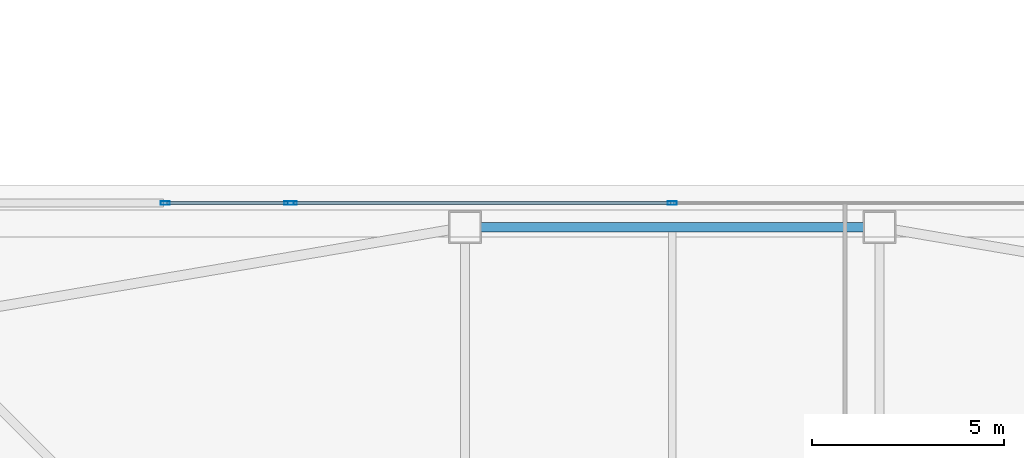
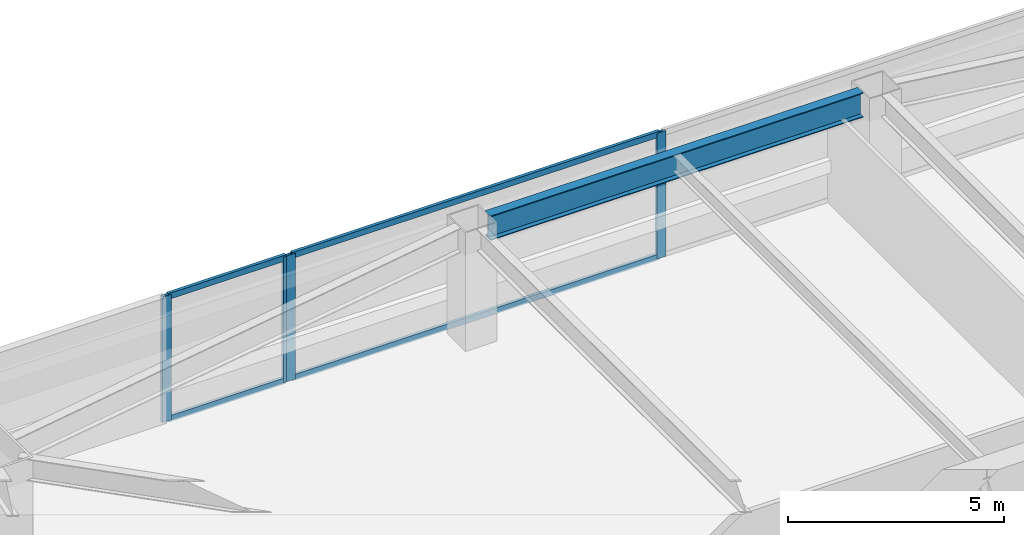
# One storey, part 15 of 46: 8 members, 1 beam, 2 elements without a shape of their own.
"""IFC4 building model written with IfcOpenShell, lengths in metres."""

import ifcopenshell
import ifcopenshell.guid

model = None  # the IFC model being written
_history = None  # IfcOwnerHistory: only IFC2X3 demands one
_inside = {}  # id of a spatial element -> (the spatial element, [elements in it])
_under = {}  # id of a project, library or spatial element -> (it, [spatial elements below it])
_declared = {}  # id of a project -> (the project, [libraries it declares])
_typed = {}  # id of a type object -> (the type object, [elements of that type])
_made_of = {}  # id of a material, layer set ... -> (it, [elements and type objects made of it])


def new_model(schema):
    """Start an empty IFC model of exactly this schema.

    Asked for "IFC4X3", IfcOpenShell would pick the latest addendum, in which some entities
    have other attributes; the version numbers below select the first issue.
    IFC2X3 requires an IfcOwnerHistory on every rooted entity: one is made here for all.
    """
    global model, _history
    if schema == "IFC4X3":
        model = ifcopenshell.file(schema_version=(4, 3, 0, 0))
    else:
        model = ifcopenshell.file(schema=schema)
    _inside.clear()
    _under.clear()
    _declared.clear()
    _typed.clear()
    _made_of.clear()
    _history = None
    if model.schema == "IFC2X3":
        org = make("IfcOrganization", Name="unknown")
        user = make(
            "IfcPersonAndOrganization",
            ThePerson=make("IfcPerson", FamilyName="unknown"),
            TheOrganization=org,
        )
        app = make(
            "IfcApplication",
            ApplicationDeveloper=org,
            Version="unknown",
            ApplicationFullName="unknown",
            ApplicationIdentifier="unknown",
        )
        _history = make(
            "IfcOwnerHistory",
            OwningUser=user,
            OwningApplication=app,
            ChangeAction="ADDED",
            CreationDate=0,
        )
    return model


def make(cls, **values):
    """One entity of the class cls with the attributes given. An attribute that is None is left unset."""
    return model.create_entity(
        cls, **{name: value for name, value in values.items() if value is not None}
    )


def rooted(cls, **values):
    """An entity with a GlobalId (a new one), such as an element, a storey or a relation."""
    return make(cls, GlobalId=ifcopenshell.guid.new(), OwnerHistory=_history, **values)


def si_unit(unit_type, name, prefix=None):
    """IfcSIUnit, for example si_unit("LENGTHUNIT", "METRE", prefix="MILLI")."""
    return make("IfcSIUnit", UnitType=unit_type, Prefix=prefix, Name=name)


def assignment(units):
    """IfcUnitAssignment: the units of a project."""
    return None if units is None else make("IfcUnitAssignment", Units=units)


def point(xyz):
    """IfcCartesianPoint."""
    return None if xyz is None else make("IfcCartesianPoint", Coordinates=xyz)


def direction(xyz):
    """IfcDirection."""
    return None if xyz is None else make("IfcDirection", DirectionRatios=xyz)


def frame(location, z_axis=None, x_axis=None):
    """IfcAxis2Placement3D, a coordinate frame: its origin and axes. An axis left out is left unset."""
    return make(
        "IfcAxis2Placement3D",
        Location=point(location),
        Axis=direction(z_axis),
        RefDirection=direction(x_axis),
    )


def frame_2d(location, x_axis=None):
    """IfcAxis2Placement2D, a coordinate frame in the plane: its origin and x axis."""
    return make(
        "IfcAxis2Placement2D", Location=point(location), RefDirection=direction(x_axis)
    )


def origin():
    """The frame at (0, 0, 0) with its axes left unset."""
    return frame((0.0, 0.0, 0.0))


def origin_2d():
    """The frame at (0, 0) in the plane with its x axis left unset."""
    return frame_2d((0.0, 0.0))


def place(relative_to, where):
    """IfcLocalPlacement: puts the frame where relative to a parent placement (None: the world)."""
    return make(
        "IfcLocalPlacement", PlacementRelTo=relative_to, RelativePlacement=where
    )


def context(
    kind, dimensions, precision=None, world=None, true_north=None, identifier=None
):
    """IfcGeometricRepresentationContext, for example the 3D "Model" context."""
    return make(
        "IfcGeometricRepresentationContext",
        ContextIdentifier=identifier,
        ContextType=kind,
        CoordinateSpaceDimension=dimensions,
        Precision=precision,
        WorldCoordinateSystem=world,
        TrueNorth=true_north,
    )


def subcontext(parent, identifier, kind, view, scale=None):
    """IfcGeometricRepresentationSubContext, for example "Body" below "Model"."""
    return make(
        "IfcGeometricRepresentationSubContext",
        ContextIdentifier=identifier,
        ContextType=kind,
        ParentContext=parent,
        TargetScale=scale,
        TargetView=view,
    )


def project(units=None, contexts=None):
    """IfcProject with its units and contexts."""
    return rooted(
        "IfcProject",
        Name="project",
        RepresentationContexts=contexts,
        UnitsInContext=assignment(units),
    )


def spatial(cls, under=None, at=None, **own):
    """A site, building, storey or space (cls), placed at a placement, below another one or the project."""
    s = rooted(cls, ObjectPlacement=at, **own)
    if under is not None:
        _under.setdefault(under.id(), (under, []))[1].append(s)
    return s


def profile(cls, at=None, kind="AREA", **sizes):
    """A parametric profile (cls). Its sizes go by their IFC names, for example OverallWidth=200.0."""
    return make(cls, ProfileType=kind, Position=at, **sizes)


def hollow_rectangle(**sizes):
    """IfcRectangleHollowProfileDef."""
    return profile("IfcRectangleHollowProfileDef", **sizes)


def i_section(**sizes):
    """IfcIShapeProfileDef."""
    return profile("IfcIShapeProfileDef", **sizes)


def extrude(swept, where, along, depth):
    """IfcExtrudedAreaSolid: the profile swept, set in the frame where, extruded along a direction by depth."""
    return make(
        "IfcExtrudedAreaSolid",
        SweptArea=swept,
        Position=where,
        ExtrudedDirection=direction(along),
        Depth=depth,
    )


def shape(context_of_items, identifier, shape_type, items):
    """IfcShapeRepresentation: the items that make up one representation, for example the "Body"."""
    return make(
        "IfcShapeRepresentation",
        ContextOfItems=context_of_items,
        RepresentationIdentifier=identifier,
        RepresentationType=shape_type,
        Items=items,
    )


def material(Name=None, Category=None):
    """IfcMaterial."""
    return make("IfcMaterial", Name=Name, Category=Category)


def material_profile(
    of_material, cross_section, Name=None, Category=None, Priority=None
):
    """IfcMaterialProfile: a cross section and its material."""
    return make(
        "IfcMaterialProfile",
        Name=Name,
        Material=of_material,
        Profile=cross_section,
        Priority=Priority,
        Category=Category,
    )


def profile_set(profiles, Name=None, composite=None):
    """IfcMaterialProfileSet."""
    return make(
        "IfcMaterialProfileSet",
        Name=Name,
        MaterialProfiles=profiles,
        CompositeProfile=composite,
    )


def made_of(thing, what):
    """Note that an element or type object is made of a material, layer set ...; save() writes the relation."""
    if what is not None:
        _made_of.setdefault(what.id(), (what, []))[1].append(thing)
    return thing


def type_object(cls, material=None, **own):
    """A type object (cls), such as IfcWallType, which elements share."""
    return made_of(rooted(cls, **own), material)


def element(
    cls,
    number,
    at=None,
    inside=None,
    cuts=None,
    type_object=None,
    material=None,
    context=None,
    identifier="Body",
    shape_type=None,
    held_by="IfcProductDefinitionShape",
    body=None,
    shapes=None,
    **own,
):
    """One element of the class cls, such as IfcWall. Its Tag is "e" and its number.

    at: its placement. inside: the storey or other place that contains it. cuts: it is an
    opening in that element (IfcRelVoidsElement). A single representation is given by context,
    identifier, shape_type and body (its items); several are given by shapes. held_by: the class
    of the entity that holds the representations. save() writes the other relations.
    """
    e = rooted(cls, Tag="e%d" % number, ObjectPlacement=at, **own)
    if body is not None:
        shapes = [shape(context, identifier, shape_type, body)]
    if shapes is not None:
        e.Representation = make(held_by, Representations=shapes)
    if inside is not None:
        _inside.setdefault(inside.id(), (inside, []))[1].append(e)
    if cuts is not None:
        rooted(
            "IfcRelVoidsElement", RelatingBuildingElement=cuts, RelatedOpeningElement=e
        )
    if type_object is not None:
        _typed.setdefault(type_object.id(), (type_object, []))[1].append(e)
    return made_of(e, material)


def aggregate(whole, parts):
    """IfcRelAggregates: a whole, such as a stair, and the parts it consists of."""
    return rooted("IfcRelAggregates", RelatingObject=whole, RelatedObjects=parts)


def save(model, path):
    """Write the relations noted so far, then the file.

    IfcRelAggregates (storeys below a building ...), IfcRelContainedInSpatialStructure (elements
    in a storey), IfcRelDefinesByType, IfcRelAssociatesMaterial and IfcRelDeclares: one each for
    every whole, place, type object, material and project.
    """
    for whole, parts in _under.values():
        aggregate(whole, parts)
    for where, things in _inside.values():
        rooted(
            "IfcRelContainedInSpatialStructure",
            RelatedElements=things,
            RelatingStructure=where,
        )
    for kind, things in _typed.values():
        rooted("IfcRelDefinesByType", RelatedObjects=things, RelatingType=kind)
    for what, things in _made_of.values():
        rooted("IfcRelAssociatesMaterial", RelatedObjects=things, RelatingMaterial=what)
    for by, libraries in _declared.values():
        rooted("IfcRelDeclares", RelatingContext=by, RelatedDefinitions=libraries)
    model.write(path)


model = new_model("IFC4")

# Units and contexts
model_context = context("Model", 3, precision=1e-05, world=origin(), true_north=direction((0.0, 1.0)))
body_context = subcontext(model_context, "Body", "Model", "MODEL_VIEW")
ifc_project = project(units=[si_unit("LENGTHUNIT", "METRE"), si_unit("AREAUNIT", "SQUARE_METRE"), si_unit("VOLUMEUNIT", "CUBIC_METRE"), si_unit("PLANEANGLEUNIT", "RADIAN"), si_unit("MASSUNIT", "GRAM", prefix="KILO")], contexts=[model_context])

# Site, building, storey
site_placement = place(None, origin())
site = spatial("IfcSite", under=ifc_project, at=site_placement, CompositionType="ELEMENT")
building_placement = place(site_placement, origin())
building = spatial("IfcBuilding", under=site, at=building_placement, Name="Tashvorn Skyway Center", CompositionType="ELEMENT")
storey_placement = place(building_placement, frame((0.0, 0.0, 60.10009765625)))
storey = spatial("IfcBuildingStorey", under=building, at=storey_placement, Name="L15", CompositionType="ELEMENT", Elevation=60.10009765625)

# Beam
ifc_material_1 = material(Name="Steel ASTM A992 Grade 50", Category="steel")
ifc_material_profile_1 = material_profile(ifc_material_1, i_section(OverallWidth=0.256103515625, OverallDepth=0.693115234375, WebThickness=0.014404296875, FlangeThickness=0.023681640625, at=origin_2d()), Name="W27X114")
ifc_profile_set_1 = profile_set([ifc_material_profile_1], Name="Steel ASTM A992 Grade 50")
beam_type = type_object("IfcBeamType", Name="BM-SPANDREL-W27X114", PredefinedType="SPANDREL", material=ifc_profile_set_1)
beam_placement = place(storey_placement, frame((46.97998046875, 54.25, 3.00341796875), z_axis=(-1.0, 0.0, 0.0), x_axis=(0.0, -1.0, 0.0)))
element("IfcBeam", 1, at=beam_placement, inside=storey, type_object=beam_type, Name="Tower 1 L15 Spandrel Beam 08", PredefinedType="SPANDREL", context=body_context, shape_type="SweptSolid", body=[
    extrude(i_section(OverallWidth=0.256103515625, OverallDepth=0.693115234375, WebThickness=0.014404296875, FlangeThickness=0.023681640625, at=origin_2d()), origin(), (0.0, 0.0, 1.0), 9.9599609375),
])

# Curtain wall, members
ifc_material_2 = material(Name="Thermally broken bronze-anodized aluminium 6063-T6", Category="aluminium")
curtain_wall_type = type_object("IfcCurtainWallType", Name="CW-CW-Z1", PredefinedType="NOTDEFINED", material=ifc_material_2)
curtain_wall_1_placement = place(storey_placement, origin())
curtain_wall_1 = element("IfcCurtainWall", 2, at=curtain_wall_1_placement, inside=storey, type_object=curtain_wall_type, Name="Tower 1 L15 North Unitised Curtain Wall Glazing Group 1", PredefinedType="NOTDEFINED")
ifc_material_profile_2 = material_profile(ifc_material_2, hollow_rectangle(XDim=0.0849609375, YDim=0.239990234375, WallThickness=0.0048828125, at=origin_2d()), Name="ALU-MULL-85x240")
ifc_profile_set_2 = profile_set([ifc_material_profile_2], Name="Thermally broken bronze-anodized aluminium 6063-T6")
member_type_1 = type_object("IfcMemberType", Name="CWM-CW-Z1", PredefinedType="MULLION", material=ifc_profile_set_2)
member_1_placement = place(storey_placement, frame((28.789306640625, 54.8798828125, 0.0), z_axis=(0.0, 0.0, 1.0), x_axis=(0.0, 1.0, 0.0)))
member_1 = element("IfcMember", 3, at=member_1_placement, type_object=member_type_1, Name="CW-Z1 mullion 1", PredefinedType="MULLION", context=body_context, shape_type="SweptSolid", body=[
    extrude(hollow_rectangle(XDim=0.0849609375, YDim=0.239990234375, WallThickness=0.0048828125, at=origin_2d()), origin(), (0.0, 0.0, 1.0), 3.5498046875),
])
member_2_placement = place(storey_placement, frame((32.017578125, 54.8798828125, 0.0), z_axis=(0.0, 0.0, 1.0), x_axis=(0.0, 1.0, 0.0)))
member_2 = element("IfcMember", 4, at=member_2_placement, type_object=member_type_1, Name="CW-Z1 mullion 2", PredefinedType="MULLION", context=body_context, shape_type="SweptSolid", body=[
    extrude(hollow_rectangle(XDim=0.0849609375, YDim=0.239990234375, WallThickness=0.0048828125, at=origin_2d()), origin(), (0.0, 0.0, 1.0), 3.5498046875),
])

curtain_wall_2_placement = place(storey_placement, origin())
curtain_wall_2 = element("IfcCurtainWall", 5, at=curtain_wall_2_placement, inside=storey, type_object=curtain_wall_type, Name="Tower 1 L15 North Unitised Curtain Wall Glazing Group 2", PredefinedType="NOTDEFINED")
member_3_placement = place(storey_placement, frame((32.1025390625, 54.8798828125, 0.0), z_axis=(0.0, 0.0, 1.0), x_axis=(0.0, 1.0, 0.0)))
member_3 = element("IfcMember", 6, at=member_3_placement, type_object=member_type_1, Name="CW-Z1 mullion 1", PredefinedType="MULLION", context=body_context, shape_type="SweptSolid", body=[
    extrude(hollow_rectangle(XDim=0.0849609375, YDim=0.239990234375, WallThickness=0.0048828125, at=origin_2d()), origin(), (0.0, 0.0, 1.0), 3.5498046875),
])
member_4_placement = place(storey_placement, frame((42.0, 54.8798828125, 0.0), z_axis=(0.0, 0.0, 1.0), x_axis=(0.0, 1.0, 0.0)))
member_4 = element("IfcMember", 7, at=member_4_placement, type_object=member_type_1, Name="CW-Z1 mullion 2", PredefinedType="MULLION", context=body_context, shape_type="SweptSolid", body=[
    extrude(hollow_rectangle(XDim=0.0849609375, YDim=0.239990234375, WallThickness=0.0048828125, at=origin_2d()), origin(), (0.0, 0.0, 1.0), 3.5498046875),
])

# Member
ifc_material_profile_3 = material_profile(ifc_material_2, hollow_rectangle(XDim=0.0849609375, YDim=0.1650390625, WallThickness=0.0048828125, at=origin_2d()), Name="ALU-TRAN-85x165")
ifc_profile_set_3 = profile_set([ifc_material_profile_3], Name="Thermally broken bronze-anodized aluminium 6063-T6")
member_type_2 = type_object("IfcMemberType", Name="CWT-CW-Z1", PredefinedType="USERDEFINED", material=ifc_profile_set_3)
member_5_placement = place(storey_placement, frame((28.831787109375, 54.8798828125, 0.04248046875), z_axis=(1.0, 0.0, 0.0), x_axis=(0.0, 1.0, 0.0)))
member_5 = element("IfcMember", 8, at=member_5_placement, type_object=member_type_2, Name="CW-Z1 transom 1.1", ObjectType="TRANSOM", PredefinedType="USERDEFINED", context=body_context, shape_type="SweptSolid", body=[
    extrude(hollow_rectangle(XDim=0.0849609375, YDim=0.1650390625, WallThickness=0.0048828125, at=origin_2d()), origin(), (0.0, 0.0, 1.0), 3.143310546875),
])

member_6_placement = place(storey_placement, frame((28.831787109375, 54.8798828125, 3.50732421875), z_axis=(1.0, 0.0, 0.0), x_axis=(0.0, 1.0, 0.0)))
member_6 = element("IfcMember", 9, at=member_6_placement, type_object=member_type_2, Name="CW-Z1 transom 1.2", ObjectType="TRANSOM", PredefinedType="USERDEFINED", context=body_context, shape_type="SweptSolid", body=[
    extrude(hollow_rectangle(XDim=0.0849609375, YDim=0.1650390625, WallThickness=0.0048828125, at=origin_2d()), origin(), (0.0, 0.0, 1.0), 3.143310546875),
])

aggregate(curtain_wall_1, [member_1, member_2, member_5, member_6])

member_7_placement = place(storey_placement, frame((32.14501953125, 54.8798828125, 0.04248046875), z_axis=(1.0, 0.0, 0.0), x_axis=(0.0, 1.0, 0.0)))
member_7 = element("IfcMember", 10, at=member_7_placement, type_object=member_type_2, Name="CW-Z1 transom 1.1", ObjectType="TRANSOM", PredefinedType="USERDEFINED", context=body_context, shape_type="SweptSolid", body=[
    extrude(hollow_rectangle(XDim=0.0849609375, YDim=0.1650390625, WallThickness=0.0048828125, at=origin_2d()), origin(), (0.0, 0.0, 1.0), 9.8125),
])

member_8_placement = place(storey_placement, frame((32.14501953125, 54.8798828125, 3.50732421875), z_axis=(1.0, 0.0, 0.0), x_axis=(0.0, 1.0, 0.0)))
member_8 = element("IfcMember", 11, at=member_8_placement, type_object=member_type_2, Name="CW-Z1 transom 1.2", ObjectType="TRANSOM", PredefinedType="USERDEFINED", context=body_context, shape_type="SweptSolid", body=[
    extrude(hollow_rectangle(XDim=0.0849609375, YDim=0.1650390625, WallThickness=0.0048828125, at=origin_2d()), origin(), (0.0, 0.0, 1.0), 9.8125),
])

aggregate(curtain_wall_2, [member_3, member_4, member_7, member_8])

save(model, "model.ifc")
